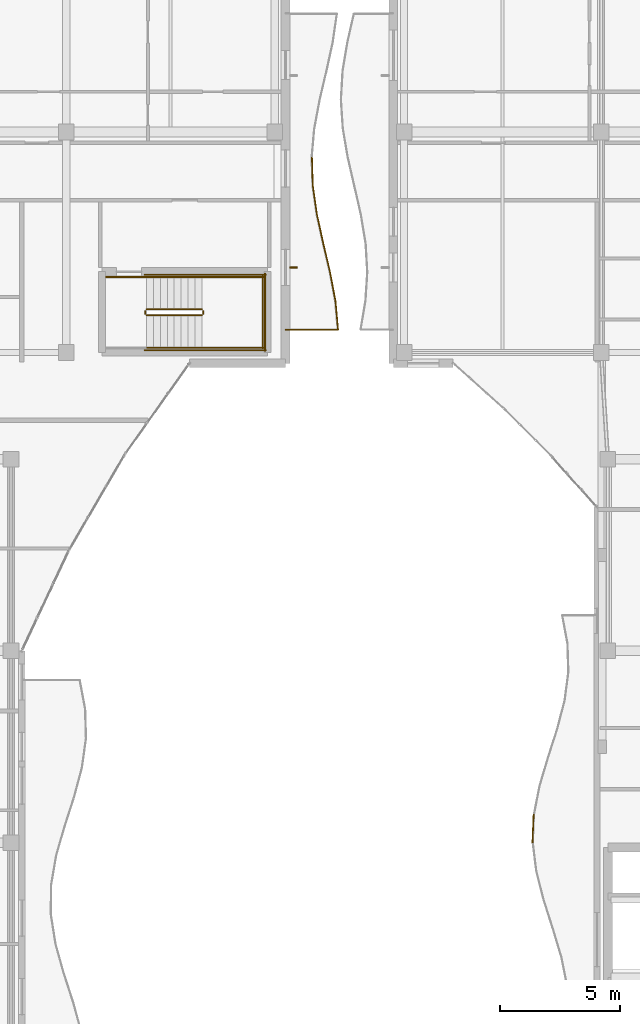
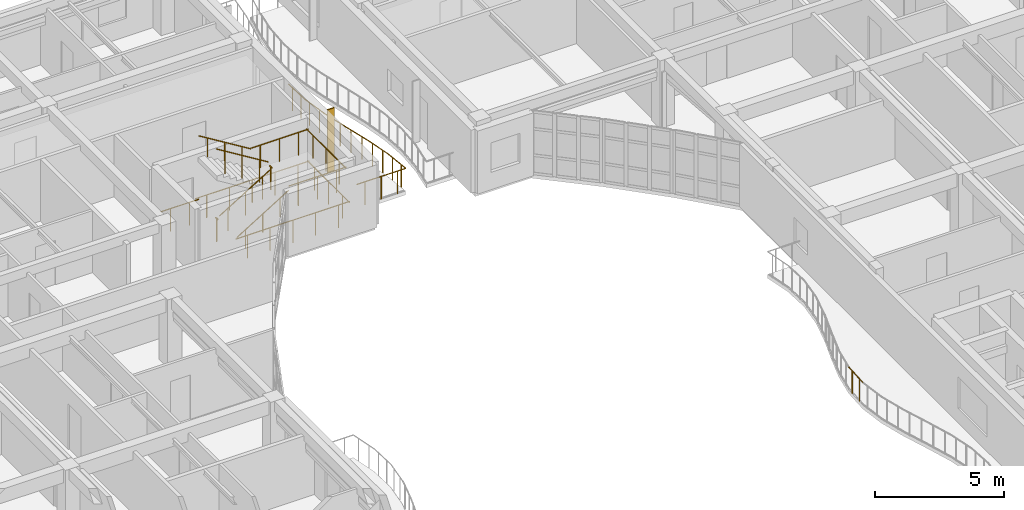
# One storey, part 73 of 89: 21 railings, 1 shading device.
"""IFC4 building model written with IfcOpenShell, lengths in metres."""

from ifc_helpers import new_model, si_unit, direction, frame, origin, origin_2d, place, context, subcontext, project, spatial, rectangle, circle, extrude, material, layer, layer_set, type_object, element, save


model = new_model("IFC4")

# Units and contexts
model_context = context("Model", 3, precision=1e-05, world=origin(), true_north=direction((0.0, 1.0)))
body_context = subcontext(model_context, "Body", "Model", "MODEL_VIEW")
ifc_project = project(units=[si_unit("LENGTHUNIT", "METRE"), si_unit("AREAUNIT", "SQUARE_METRE"), si_unit("VOLUMEUNIT", "CUBIC_METRE"), si_unit("PLANEANGLEUNIT", "RADIAN"), si_unit("MASSUNIT", "GRAM", prefix="KILO")], contexts=[model_context])

# Site, building, storey
site_placement = place(None, origin())
site = spatial("IfcSite", under=ifc_project, at=site_placement, CompositionType="ELEMENT")
building_placement = place(site_placement, origin())
building = spatial("IfcBuilding", under=site, at=building_placement, Name="Keldmere Railside Commons", CompositionType="ELEMENT")
storey_placement = place(building_placement, frame((0.0, 0.0, 7.360107421875)))
storey = spatial("IfcBuildingStorey", under=building, at=storey_placement, Name="L02", CompositionType="ELEMENT", Elevation=7.360107421875)

# Railings
ifc_material = material(Name="Steel F-24 (S235)", Category="steel")
railing_type_1 = type_object("IfcRailingType", Name="Balcony & Terrace Steel Balustrade 1100", PredefinedType="BALUSTRADE", material=ifc_material)
railing_1_placement = place(storey_placement, frame((35.0, 101.39990234375, 0.0)))
element("IfcRailing", 1, at=railing_1_placement, inside=storey, type_object=railing_type_1, Name="GR-1 GRD-L02-0229", PredefinedType="BALUSTRADE", context=body_context, shape_type="SweptSolid", body=[
    extrude(circle(Radius=0.02392578125, at=origin_2d()), frame((0.0, 0.0, 1.076171875), z_axis=(1.0, 0.0, 0.0), x_axis=(0.0, 1.0, 0.0)), (0.0, 0.0, 1.0), 2.1953125),
    extrude(circle(Radius=0.02099609375, at=origin_2d()), frame((0.365966796875, 0.0, 0.0)), (0.0, 0.0, 1.0), 1.048095703125),
    extrude(circle(Radius=0.02099609375, at=origin_2d()), frame((1.09765625, 0.0, 0.0)), (0.0, 0.0, 1.0), 1.048095703125),
    extrude(circle(Radius=0.02099609375, at=origin_2d()), frame((1.829345703125, 0.0, 0.0)), (0.0, 0.0, 1.0), 1.048095703125),
])
railing_2_placement = place(storey_placement, frame((37.1953125, 101.39990234375, 0.0)))
element("IfcRailing", 2, at=railing_2_placement, inside=storey, type_object=railing_type_1, Name="GR-1 GRD-L02-0230", PredefinedType="BALUSTRADE", context=body_context, shape_type="SweptSolid", body=[
    extrude(circle(Radius=0.02392578125, at=origin_2d()), frame((0.0, 0.0, 1.076171875), z_axis=(-0.08995120042, 0.995946174019, 0.0), x_axis=(-0.995946174019, -0.08995120042, 0.0)), (0.0, 0.0, 1.0), 1.205078125),
    extrude(circle(Radius=0.02099609375, at=origin_2d()), frame((-0.027099609375, 0.300048828125, 0.0)), (0.0, 0.0, 1.0), 1.048095703125),
    extrude(circle(Radius=0.02099609375, at=origin_2d()), frame((-0.081298828125, 0.900146484375, 0.0)), (0.0, 0.0, 1.0), 1.048095703125),
])
railing_3_placement = place(storey_placement, frame((37.0869140625, 102.60009765625, 0.0)))
element("IfcRailing", 3, at=railing_3_placement, inside=storey, type_object=railing_type_1, Name="GR-1 GRD-L02-0231", PredefinedType="BALUSTRADE", context=body_context, shape_type="SweptSolid", body=[
    extrude(circle(Radius=0.02392578125, at=origin_2d()), frame((0.0, 0.0, 1.076171875), z_axis=(-0.184759353718, 0.982783791693, 0.0), x_axis=(-0.982783791693, -0.184759353718, 0.0)), (0.0, 0.0, 1.0), 1.220947265625),
    extrude(circle(Radius=0.02099609375, at=origin_2d()), frame((-0.056396484375, 0.300048828125, 0.0)), (0.0, 0.0, 1.0), 1.048095703125),
    extrude(circle(Radius=0.02099609375, at=origin_2d()), frame((-0.169189453125, 0.89990234375, 0.0)), (0.0, 0.0, 1.0), 1.048095703125),
])
railing_4_placement = place(storey_placement, frame((36.861328125, 103.800048828125, 0.0)))
element("IfcRailing", 4, at=railing_4_placement, inside=storey, type_object=railing_type_1, Name="GR-1 GRD-L02-0232", PredefinedType="BALUSTRADE", context=body_context, shape_type="SweptSolid", body=[
    extrude(circle(Radius=0.02392578125, at=origin_2d()), frame((0.0, 0.0, 1.076171875), z_axis=(-0.22895101995, 0.973437943818, 0.0), x_axis=(-0.973437943818, -0.22895101995, 0.0)), (0.0, 0.0, 1.0), 1.232666015625),
    extrude(circle(Radius=0.02099609375, at=origin_2d()), frame((-0.070556640625, 0.300048828125, 0.0)), (0.0, 0.0, 1.0), 1.048095703125),
    extrude(circle(Radius=0.02099609375, at=origin_2d()), frame((-0.211669921875, 0.89990234375, 0.0)), (0.0, 0.0, 1.0), 1.048095703125),
])
railing_5_placement = place(storey_placement, frame((36.5791015625, 105.0, 0.0)))
element("IfcRailing", 5, at=railing_5_placement, inside=storey, type_object=railing_type_1, Name="GR-1 GRD-L02-0233", PredefinedType="BALUSTRADE", context=body_context, shape_type="SweptSolid", body=[
    extrude(circle(Radius=0.02392578125, at=origin_2d()), frame((0.0, 0.0, 1.076171875), z_axis=(-0.214236190078, 0.976781887046, 0.0), x_axis=(-0.976781887046, -0.214236190078, 0.0)), (0.0, 0.0, 1.0), 1.228515625),
    extrude(circle(Radius=0.02099609375, at=origin_2d()), frame((-0.06591796875, 0.300048828125, 0.0)), (0.0, 0.0, 1.0), 1.048095703125),
    extrude(circle(Radius=0.02099609375, at=origin_2d()), frame((-0.197265625, 0.89990234375, 0.0)), (0.0, 0.0, 1.0), 1.048095703125),
])
railing_6_placement = place(storey_placement, frame((36.31591796875, 106.199951171875, 0.0)))
element("IfcRailing", 6, at=railing_6_placement, inside=storey, type_object=railing_type_1, Name="GR-1 GRD-L02-0234", PredefinedType="BALUSTRADE", context=body_context, shape_type="SweptSolid", body=[
    extrude(circle(Radius=0.02392578125, at=origin_2d()), frame((0.0, 0.0, 1.076171875), z_axis=(-0.143366191975, 0.989669710054, 0.0), x_axis=(-0.989669710054, -0.143366191975, 0.0)), (0.0, 0.0, 1.0), 1.21240234375),
    extrude(circle(Radius=0.02099609375, at=origin_2d()), frame((-0.04345703125, 0.300048828125, 0.0)), (0.0, 0.0, 1.0), 1.048095703125),
    extrude(circle(Radius=0.02099609375, at=origin_2d()), frame((-0.13037109375, 0.89990234375, 0.0)), (0.0, 0.0, 1.0), 1.048095703125),
])
railing_7_placement = place(storey_placement, frame((36.14208984375, 107.39990234375, 0.0)))
element("IfcRailing", 7, at=railing_7_placement, inside=storey, type_object=railing_type_1, Name="GR-1 GRD-L02-0235", PredefinedType="BALUSTRADE", context=body_context, shape_type="SweptSolid", body=[
    extrude(circle(Radius=0.02392578125, at=origin_2d()), frame((0.0, 0.0, 1.076171875), z_axis=(-0.031310922031, 0.99950969288, 0.0), x_axis=(-0.99950969288, -0.031310922031, 0.0)), (0.0, 0.0, 1.0), 1.20068359375),
    extrude(circle(Radius=0.02099609375, at=origin_2d()), frame((-0.00927734375, 0.300048828125, 0.0)), (0.0, 0.0, 1.0), 1.048095703125),
    extrude(circle(Radius=0.02099609375, at=origin_2d()), frame((-0.0283203125, 0.900146484375, 0.0)), (0.0, 0.0, 1.0), 1.048095703125),
])
railing_8_placement = place(storey_placement, frame((45.306396484375, 79.989013671875, 0.0)))
element("IfcRailing", 8, at=railing_8_placement, inside=storey, type_object=railing_type_1, Name="GR-1 GRD-L02-1000", PredefinedType="BALUSTRADE", context=body_context, shape_type="SweptSolid", body=[
    extrude(circle(Radius=0.02392578125, at=origin_2d()), frame((0.0, 0.0, 1.076171875), z_axis=(0.041451301323, 0.999140525461, 0.0), x_axis=(-0.999140525461, 0.041451301323, 0.0)), (0.0, 0.0, 1.0), 1.189697265625),
    extrude(circle(Radius=0.02099609375, at=origin_2d()), frame((0.01220703125, 0.297119140625, 0.0)), (0.0, 0.0, 1.0), 1.048095703125),
    extrude(circle(Radius=0.02099609375, at=origin_2d()), frame((0.037109375, 0.8916015625, 0.0)), (0.0, 0.0, 1.0), 1.048095703125),
])

# Shading device
ifc_layer = layer(ifc_material, 0.06005859375, Name="East-West Vertical Brise-Soleil Fin 320x60")
ifc_layer_set = layer_set([ifc_layer], Name="Steel F-24 (S235)")
shading_device_type = type_object("IfcShadingDeviceType", Name="East-West Vertical Brise-Soleil Fin 320x60", PredefinedType="USERDEFINED", material=ifc_layer_set)
shading_device_placement = place(storey_placement, frame((35.337890625, 104.0, 0.0), z_axis=(0.0, 0.0, 1.0), x_axis=(1.0, 0.0, 0.0)))
element("IfcShadingDevice", 9, at=shading_device_placement, inside=storey, type_object=shading_device_type, Name="FIN-1 Solar Fin 002", ObjectType="FIN", PredefinedType="USERDEFINED", context=body_context, shape_type="SweptSolid", body=[
    extrude(rectangle(XDim=0.320068359375, YDim=0.06005859375, at=origin_2d()), origin(), (0.0, 0.0, 1.0), 2.97998046875),
])

# Railings
railing_type_2 = type_object("IfcRailingType", Name="Stair Well Steel Guardrail 1100", PredefinedType="BALUSTRADE", material=ifc_material)
railing_9_placement = place(storey_placement, frame((29.199951171875, 102.0, 0.177734375)))
element("IfcRailing", 10, at=railing_9_placement, inside=storey, type_object=railing_type_2, Name="L02 ST-D2 stair guard 1", PredefinedType="BALUSTRADE", context=body_context, shape_type="SweptSolid", body=[
    extrude(circle(Radius=0.02392578125, at=origin_2d()), frame((0.0, 0.0, 1.076171875), z_axis=(0.852578041948, 0.0, 0.522599925744), x_axis=(0.0, 1.0, 0.0)), (0.0, 0.0, 1.0), 2.72119140625),
    extrude(circle(Radius=0.02099609375, at=origin_2d()), frame((0.38671875, 0.0, 0.237060546875)), (0.0, 0.0, 1.0), 1.048095703125),
    extrude(circle(Radius=0.02099609375, at=origin_2d()), frame((1.16015625, 0.0, 0.7109375)), (0.0, 0.0, 1.0), 1.048095703125),
    extrude(circle(Radius=0.02099609375, at=origin_2d()), frame((1.933349609375, 0.0, 1.18505859375)), (0.0, 0.0, 1.0), 1.048095703125),
])
railing_10_placement = place(storey_placement, frame((31.570068359375, 102.050048828125, 1.599853515625)))
element("IfcRailing", 11, at=railing_10_placement, inside=storey, type_object=railing_type_2, Name="L02 ST-D2 stair guard 2", PredefinedType="BALUSTRADE", context=body_context, shape_type="SweptSolid", body=[
    extrude(circle(Radius=0.02392578125, at=origin_2d()), frame((0.0, 0.0, 1.076171875), z_axis=(0.0, 1.0, 0.0), x_axis=(-1.0, 0.0, 0.0)), (0.0, 0.0, 1.0), 0.14990234375),
    extrude(circle(Radius=0.02099609375, at=origin_2d()), frame((0.0, 0.074951171875, 0.0)), (0.0, 0.0, 1.0), 1.048095703125),
])
for number, where, name in (
    (12, (31.52001953125, 100.64990234375, 1.599853515625), "L02 ST-D2 stair guard 3"),
    (13, (31.52001953125, 103.60009765625, 1.599853515625), "L02 ST-D2 stair guard 4"),
):
    element("IfcRailing", number, at=place(storey_placement, frame(where)), inside=storey, type_object=railing_type_2, Name=name, PredefinedType="BALUSTRADE", context=body_context, shape_type="SweptSolid", body=[
        extrude(circle(Radius=0.02392578125, at=origin_2d()), frame((0.0, 0.0, 1.076171875), z_axis=(1.0, 0.0, 0.0), x_axis=(0.0, 1.0, 0.0)), (0.0, 0.0, 1.0), 2.580078125),
        extrude(circle(Radius=0.02099609375, at=origin_2d()), frame((0.429931640625, 0.0, 0.0)), (0.0, 0.0, 1.0), 1.048095703125),
        extrude(circle(Radius=0.02099609375, at=origin_2d()), frame((1.2900390625, 0.0, 0.0)), (0.0, 0.0, 1.0), 1.048095703125),
        extrude(circle(Radius=0.02099609375, at=origin_2d()), frame((2.150146484375, 0.0, 0.0)), (0.0, 0.0, 1.0), 1.048095703125),
    ])
railing_11_placement = place(storey_placement, frame((34.050048828125, 100.60009765625, 1.599853515625)))
element("IfcRailing", 14, at=railing_11_placement, inside=storey, type_object=railing_type_2, Name="L02 ST-D2 stair guard 5", PredefinedType="BALUSTRADE", context=body_context, shape_type="SweptSolid", body=[
    extrude(circle(Radius=0.02392578125, at=origin_2d()), frame((0.0, 0.0, 1.076171875), z_axis=(0.0, 1.0, 0.0), x_axis=(-1.0, 0.0, 0.0)), (0.0, 0.0, 1.0), 3.0498046875),
    extrude(circle(Radius=0.02099609375, at=origin_2d()), frame((0.0, 0.50830078125, 0.0)), (0.0, 0.0, 1.0), 1.048095703125),
    extrude(circle(Radius=0.02099609375, at=origin_2d()), frame((0.0, 1.52490234375, 0.0)), (0.0, 0.0, 1.0), 1.048095703125),
    extrude(circle(Radius=0.02099609375, at=origin_2d()), frame((0.0, 2.54150390625, 0.0)), (0.0, 0.0, 1.0), 1.048095703125),
])
railing_12_placement = place(storey_placement, frame((31.52001953125, 102.25, 1.777587890625)))
element("IfcRailing", 15, at=railing_12_placement, inside=storey, type_object=railing_type_2, Name="L02 ST-D2 stair guard 6", PredefinedType="BALUSTRADE", context=body_context, shape_type="SweptSolid", body=[
    extrude(circle(Radius=0.02392578125, at=origin_2d()), frame((0.0, 0.0, 1.076171875), z_axis=(-0.852538067394, 0.0, 0.522665135287), x_axis=(0.0, -1.0, 0.0)), (0.0, 0.0, 1.0), 2.721435546875),
    extrude(circle(Radius=0.02099609375, at=origin_2d()), frame((-0.38671875, 0.0, 0.237060546875)), (0.0, 0.0, 1.0), 1.048095703125),
    extrude(circle(Radius=0.02099609375, at=origin_2d()), frame((-1.16015625, 0.0, 0.711181640625)), (0.0, 0.0, 1.0), 1.048095703125),
    extrude(circle(Radius=0.02099609375, at=origin_2d()), frame((-1.933349609375, 0.0, 1.185302734375)), (0.0, 0.0, 1.0), 1.048095703125),
])
railing_13_placement = place(storey_placement, frame((29.14990234375, 102.050048828125, 0.0)))
element("IfcRailing", 16, at=railing_13_placement, inside=storey, type_object=railing_type_2, Name="L02 ST-D2 stair guard 7", PredefinedType="BALUSTRADE", context=body_context, shape_type="SweptSolid", body=[
    extrude(circle(Radius=0.02392578125, at=origin_2d()), frame((0.0, 0.0, 1.076171875), z_axis=(0.0, 1.0, 0.0), x_axis=(-1.0, 0.0, 0.0)), (0.0, 0.0, 1.0), 0.14990234375),
    extrude(circle(Radius=0.02099609375, at=origin_2d()), frame((0.0, 0.074951171875, 0.0)), (0.0, 0.0, 1.0), 1.048095703125),
])
railing_14_placement = place(storey_placement, frame((27.5, 103.60009765625, 0.0)))
element("IfcRailing", 17, at=railing_14_placement, inside=storey, type_object=railing_type_2, Name="L02 ST-D2 stair guard 9", PredefinedType="BALUSTRADE", context=body_context, shape_type="SweptSolid", body=[
    extrude(circle(Radius=0.02392578125, at=origin_2d()), frame((0.0, 0.0, 1.076171875), z_axis=(1.0, 0.0, 0.0), x_axis=(0.0, 1.0, 0.0)), (0.0, 0.0, 1.0), 1.699951171875),
    extrude(circle(Radius=0.02099609375, at=origin_2d()), frame((0.425048828125, 0.0, 0.0)), (0.0, 0.0, 1.0), 1.048095703125),
    extrude(circle(Radius=0.02099609375, at=origin_2d()), frame((1.27490234375, 0.0, 0.0)), (0.0, 0.0, 1.0), 1.048095703125),
])
for number, where, name in (
    (18, (29.10009765625, 100.550048828125, 0.0), "L02 ST-D2 stair guard 10"),
    (19, (29.10009765625, 103.699951171875, 0.0), "L02 ST-D2 stair guard 11"),
):
    element("IfcRailing", number, at=place(storey_placement, frame(where)), inside=storey, type_object=railing_type_2, Name=name, PredefinedType="BALUSTRADE", context=body_context, shape_type="SweptSolid", body=[
        extrude(circle(Radius=0.02392578125, at=origin_2d()), frame((0.0, 0.0, 1.076171875), z_axis=(1.0, 0.0, 0.0), x_axis=(0.0, 1.0, 0.0)), (0.0, 0.0, 1.0), 5.099853515625),
        extrude(circle(Radius=0.02099609375, at=origin_2d()), frame((0.510009765625, 0.0, 0.0)), (0.0, 0.0, 1.0), 1.048095703125),
        extrude(circle(Radius=0.02099609375, at=origin_2d()), frame((1.530029296875, 0.0, 0.0)), (0.0, 0.0, 1.0), 1.048095703125),
        extrude(circle(Radius=0.02099609375, at=origin_2d()), frame((2.5498046875, 0.0, 0.0)), (0.0, 0.0, 1.0), 1.048095703125),
        extrude(circle(Radius=0.02099609375, at=origin_2d()), frame((3.56982421875, 0.0, 0.0)), (0.0, 0.0, 1.0), 1.048095703125),
        extrude(circle(Radius=0.02099609375, at=origin_2d()), frame((4.58984375, 0.0, 0.0)), (0.0, 0.0, 1.0), 1.048095703125),
    ])
railing_15_placement = place(storey_placement, frame((34.14990234375, 100.5, 0.0)))
element("IfcRailing", 20, at=railing_15_placement, inside=storey, type_object=railing_type_2, Name="L02 ST-D2 stair guard 12", PredefinedType="BALUSTRADE", context=body_context, shape_type="SweptSolid", body=[
    extrude(circle(Radius=0.02392578125, at=origin_2d()), frame((0.0, 0.0, 1.076171875), z_axis=(0.0, 1.0, 0.0), x_axis=(-1.0, 0.0, 0.0)), (0.0, 0.0, 1.0), 3.25),
    extrude(circle(Radius=0.02099609375, at=origin_2d()), frame((0.0, 0.541748046875, 0.0)), (0.0, 0.0, 1.0), 1.048095703125),
    extrude(circle(Radius=0.02099609375, at=origin_2d()), frame((0.0, 1.625, 0.0)), (0.0, 0.0, 1.0), 1.048095703125),
    extrude(circle(Radius=0.02099609375, at=origin_2d()), frame((0.0, 2.708251953125, 0.0)), (0.0, 0.0, 1.0), 1.048095703125),
])
railing_type_3 = type_object("IfcRailingType", Name="Wall-Mounted Tubular Steel Handrail 900", PredefinedType="HANDRAIL", material=ifc_material)
railing_16_placement = place(storey_placement, frame((29.199951171875, 100.64990234375, 0.177734375)))
element("IfcRailing", 21, at=railing_16_placement, inside=storey, type_object=railing_type_3, Name="L02 ST-D2 stair handrail 1", PredefinedType="HANDRAIL", context=body_context, shape_type="SweptSolid", body=[
    extrude(circle(Radius=0.02392578125, at=origin_2d()), frame((0.0, 0.0, 0.8759765625), z_axis=(0.852578041948, 0.0, 0.522599925744), x_axis=(0.0, 1.0, 0.0)), (0.0, 0.0, 1.0), 2.72119140625),
    extrude(circle(Radius=0.02099609375, at=origin_2d()), frame((0.38671875, 0.0, 0.237060546875)), (0.0, 0.0, 1.0), 0.847900390625),
    extrude(circle(Radius=0.02099609375, at=origin_2d()), frame((1.16015625, 0.0, 0.7109375)), (0.0, 0.0, 1.0), 0.847900390625),
    extrude(circle(Radius=0.02099609375, at=origin_2d()), frame((1.933349609375, 0.0, 1.18505859375)), (0.0, 0.0, 1.0), 0.847900390625),
])
railing_17_placement = place(storey_placement, frame((31.52001953125, 103.60009765625, 1.777587890625)))
element("IfcRailing", 22, at=railing_17_placement, inside=storey, type_object=railing_type_3, Name="L02 ST-D2 stair handrail 2", PredefinedType="HANDRAIL", context=body_context, shape_type="SweptSolid", body=[
    extrude(circle(Radius=0.02392578125, at=origin_2d()), frame((0.0, 0.0, 0.8759765625), z_axis=(-0.852538067394, 0.0, 0.522665135287), x_axis=(0.0, -1.0, 0.0)), (0.0, 0.0, 1.0), 2.721435546875),
    extrude(circle(Radius=0.02099609375, at=origin_2d()), frame((-0.38671875, 0.0, 0.237060546875)), (0.0, 0.0, 1.0), 0.847900390625),
    extrude(circle(Radius=0.02099609375, at=origin_2d()), frame((-1.16015625, 0.0, 0.711181640625)), (0.0, 0.0, 1.0), 0.847900390625),
    extrude(circle(Radius=0.02099609375, at=origin_2d()), frame((-1.933349609375, 0.0, 1.185302734375)), (0.0, 0.0, 1.0), 0.847900390625),
])

save(model, "model.ifc")
